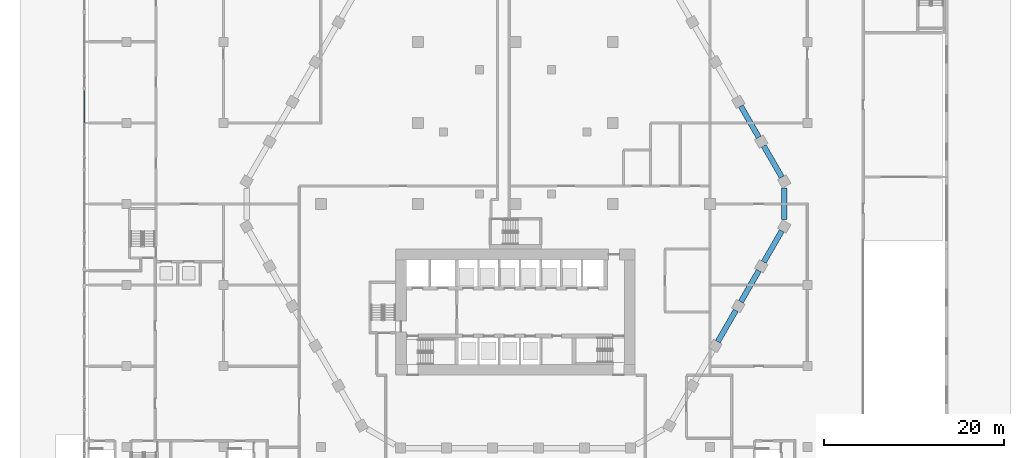
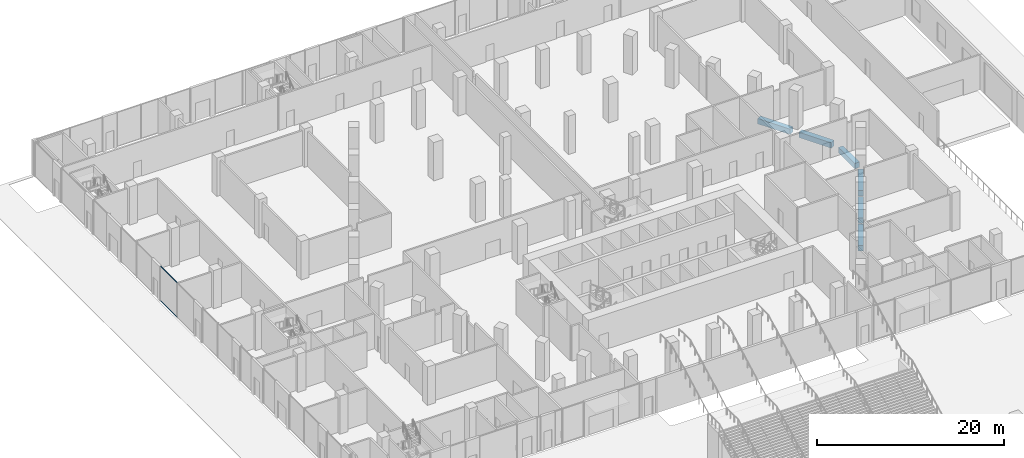
# One storey, part 9 of 57: 6 beams, 2 members, 1 element without a shape of its own.
"""IFC4 building model written with IfcOpenShell, lengths in metres."""

from ifc_helpers import new_model, si_unit, direction, frame, origin, origin_2d, place, context, subcontext, project, spatial, rectangle, hollow_rectangle, extrude, material, material_profile, profile_set, type_object, element, aggregate, save


model = new_model("IFC4")

# Units and contexts
model_context = context("Model", 3, precision=1e-05, world=origin(), true_north=direction((0.0, 1.0)))
body_context = subcontext(model_context, "Body", "Model", "MODEL_VIEW")
ifc_project = project(units=[si_unit("LENGTHUNIT", "METRE"), si_unit("AREAUNIT", "SQUARE_METRE"), si_unit("VOLUMEUNIT", "CUBIC_METRE"), si_unit("PLANEANGLEUNIT", "RADIAN"), si_unit("MASSUNIT", "GRAM", prefix="KILO")], contexts=[model_context])

# Site, building, storey
site_placement = place(None, origin())
site = spatial("IfcSite", under=ifc_project, at=site_placement, CompositionType="ELEMENT")
building_placement = place(site_placement, origin())
building = spatial("IfcBuilding", under=site, at=building_placement, Name="Beryl Residences", CompositionType="ELEMENT")
storey_placement = place(building_placement, origin())
storey = spatial("IfcBuildingStorey", under=building, at=storey_placement, Name="L00", CompositionType="ELEMENT", Elevation=0.0)

# Curtain wall, members
ifc_material_1 = material(Name="Aluminium and clear glass", Category="aluminium")
curtain_wall_type = type_object("IfcCurtainWallType", Name="CW1 shopfront glazed wall", PredefinedType="NOTDEFINED", material=ifc_material_1)
curtain_wall_placement = place(storey_placement, origin())
curtain_wall = element("IfcCurtainWall", 1, at=curtain_wall_placement, inside=storey, type_object=curtain_wall_type, Name="CW1 L00 W", PredefinedType="NOTDEFINED")
ifc_material_2 = material(Name="Aluminium", Category="aluminium")
ifc_material_profile_1 = material_profile(ifc_material_2, hollow_rectangle(XDim=0.06005859375, YDim=0.10009765625, WallThickness=0.00390625, at=origin_2d()))
ifc_profile_set_1 = profile_set([ifc_material_profile_1], Name="Aluminium")
member_type = type_object("IfcMemberType", Name="CW1-T transom 60 x 100 mm", PredefinedType="USERDEFINED", material=ifc_profile_set_1)
member_1_placement = place(storey_placement, frame((-47.85009765625, 12.590087890625, 0.030029296875), z_axis=(0.0, -1.0, 0.0), x_axis=(1.0, 0.0, 0.0)))
member_1 = element("IfcMember", 2, at=member_1_placement, type_object=member_type, Name="CW1 transom 1.1", ObjectType="TRANSOM", PredefinedType="USERDEFINED", context=body_context, shape_type="SweptSolid", body=[
    extrude(hollow_rectangle(XDim=0.06005859375, YDim=0.10009765625, WallThickness=0.00390625, at=origin_2d()), origin(), (0.0, 0.0, 1.0), 3.56005859375),
])
member_2_placement = place(storey_placement, frame((-47.85009765625, 12.590087890625, 4.52001953125), z_axis=(0.0, -1.0, 0.0), x_axis=(1.0, 0.0, 0.0)))
member_2 = element("IfcMember", 3, at=member_2_placement, type_object=member_type, Name="CW1 transom 1.2", ObjectType="TRANSOM", PredefinedType="USERDEFINED", context=body_context, shape_type="SweptSolid", body=[
    extrude(hollow_rectangle(XDim=0.06005859375, YDim=0.10009765625, WallThickness=0.00390625, at=origin_2d()), origin(), (0.0, 0.0, 1.0), 3.56005859375),
])
aggregate(curtain_wall, [member_1, member_2])

# Beams
ifc_material_3 = material(Name="Concrete C80/95", Category="concrete")
ifc_material_profile_2 = material_profile(ifc_material_3, rectangle(XDim=0.60009765625, YDim=0.699951171875, at=origin_2d()))
ifc_profile_set_2 = profile_set([ifc_material_profile_2], Name="Concrete C80/95")
beam_type = type_object("IfcBeamType", Name="SB1 spandrel beam 600 x 700 C80/95", PredefinedType="SPANDREL", material=ifc_profile_set_2)
for number, where, z_axis, x_axis, name in (
    (4, (22.468994140625, -15.282958984375, -0.800048828125), (0.499942357345, 0.866058681229, 0.0), (-0.866058681229, 0.499942357345, 0.0), "SB1 L00 SE-2"),
    (5, (25.02099609375, -10.863037109375, -0.800048828125), (0.499942357345, 0.866058681229, 0.0), (-0.866058681229, 0.499942357345, 0.0), "SB1 L00 SE-3"),
):
    element("IfcBeam", number, at=place(storey_placement, frame(where, z_axis=z_axis, x_axis=x_axis)), inside=storey, type_object=beam_type, Name=name, PredefinedType="SPANDREL", context=body_context, shape_type="SweptSolid", body=[
        extrude(rectangle(XDim=0.60009765625, YDim=0.699951171875, at=origin_2d()), origin(), (0.0, 0.0, 1.0), 4.00439453125),
    ])
beam_1_placement = place(storey_placement, frame((27.572998046875, -6.443115234375, -0.800048828125), z_axis=(0.499759404093, 0.866164267342, 0.0), x_axis=(-0.866164267342, 0.499759404093, 0.0)))
element("IfcBeam", 6, at=beam_1_placement, inside=storey, type_object=beam_type, Name="SB1 L00 SE-4", PredefinedType="SPANDREL", context=body_context, shape_type="SweptSolid", body=[
    extrude(rectangle(XDim=0.60009765625, YDim=0.699951171875, at=origin_2d()), origin(), (0.0, 0.0, 1.0), 4.00390625),
])
beam_2_placement = place(storey_placement, frame((29.84912109375, -1.748046875, -0.800048828125), z_axis=(-0.000349064486, 0.999999939077, 0.0), x_axis=(-0.999999939077, -0.000349064486, 0.0)))
element("IfcBeam", 7, at=beam_2_placement, inside=storey, type_object=beam_type, Name="SB1 L00 SE-5", PredefinedType="SPANDREL", context=body_context, shape_type="SweptSolid", body=[
    extrude(rectangle(XDim=0.60009765625, YDim=0.699951171875, at=origin_2d()), origin(), (0.0, 0.0, 1.0), 3.4970703125),
])
beam_3_placement = place(storey_placement, frame((29.572998046875, 2.97607421875, -0.800048828125), z_axis=(-0.499653843024, 0.866225165388, 0.0), x_axis=(-0.866225165388, -0.499653843024, 0.0)))
element("IfcBeam", 8, at=beam_3_placement, inside=storey, type_object=beam_type, Name="SB1 L00 NE-0", PredefinedType="SPANDREL", context=body_context, shape_type="SweptSolid", body=[
    extrude(rectangle(XDim=0.60009765625, YDim=0.699951171875, at=origin_2d()), origin(), (0.0, 0.0, 1.0), 4.004638671875),
])
beam_4_placement = place(storey_placement, frame((27.02197265625, 7.39697265625, -0.800048828125), z_axis=(-0.499942357345, 0.866058681229, 0.0), x_axis=(-0.866058681229, -0.499942357345, 0.0)))
element("IfcBeam", 9, at=beam_4_placement, inside=storey, type_object=beam_type, Name="SB1 L00 NE-1", PredefinedType="SPANDREL", context=body_context, shape_type="SweptSolid", body=[
    extrude(rectangle(XDim=0.60009765625, YDim=0.699951171875, at=origin_2d()), origin(), (0.0, 0.0, 1.0), 4.00439453125),
])

save(model, "model.ifc")
